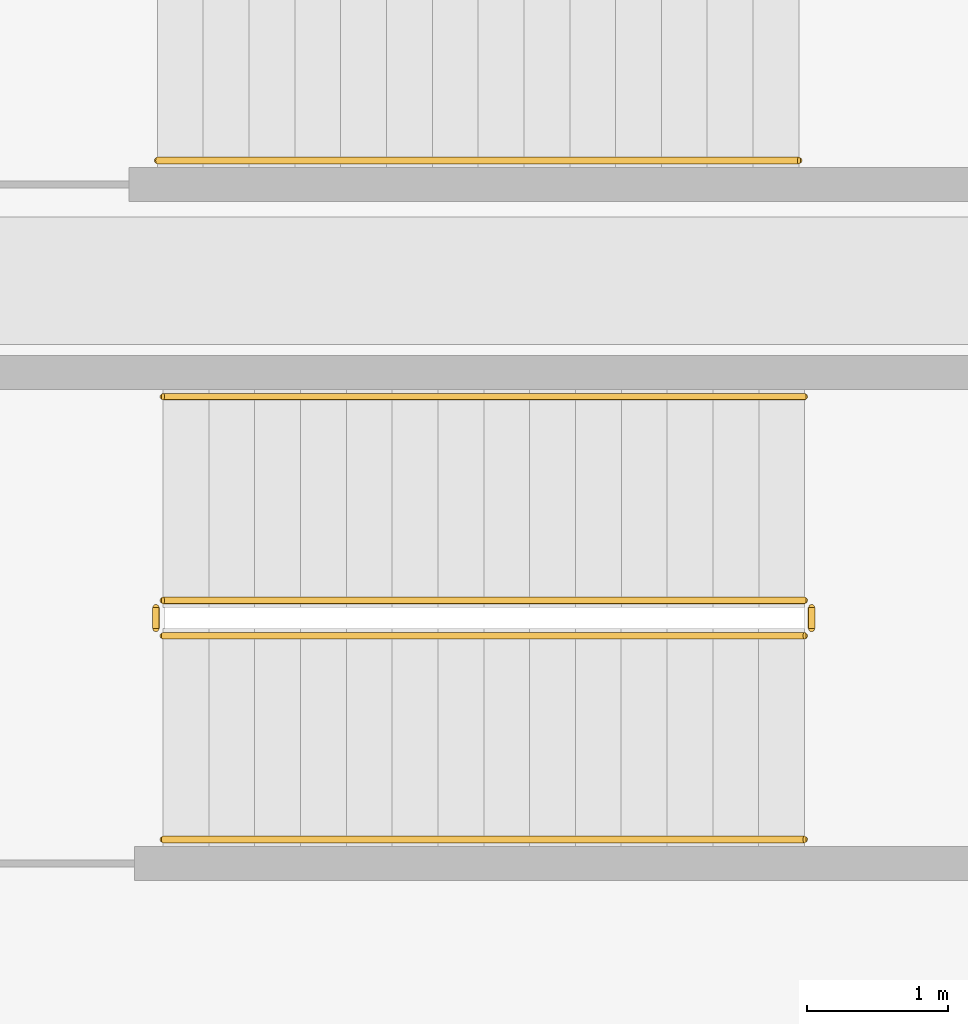
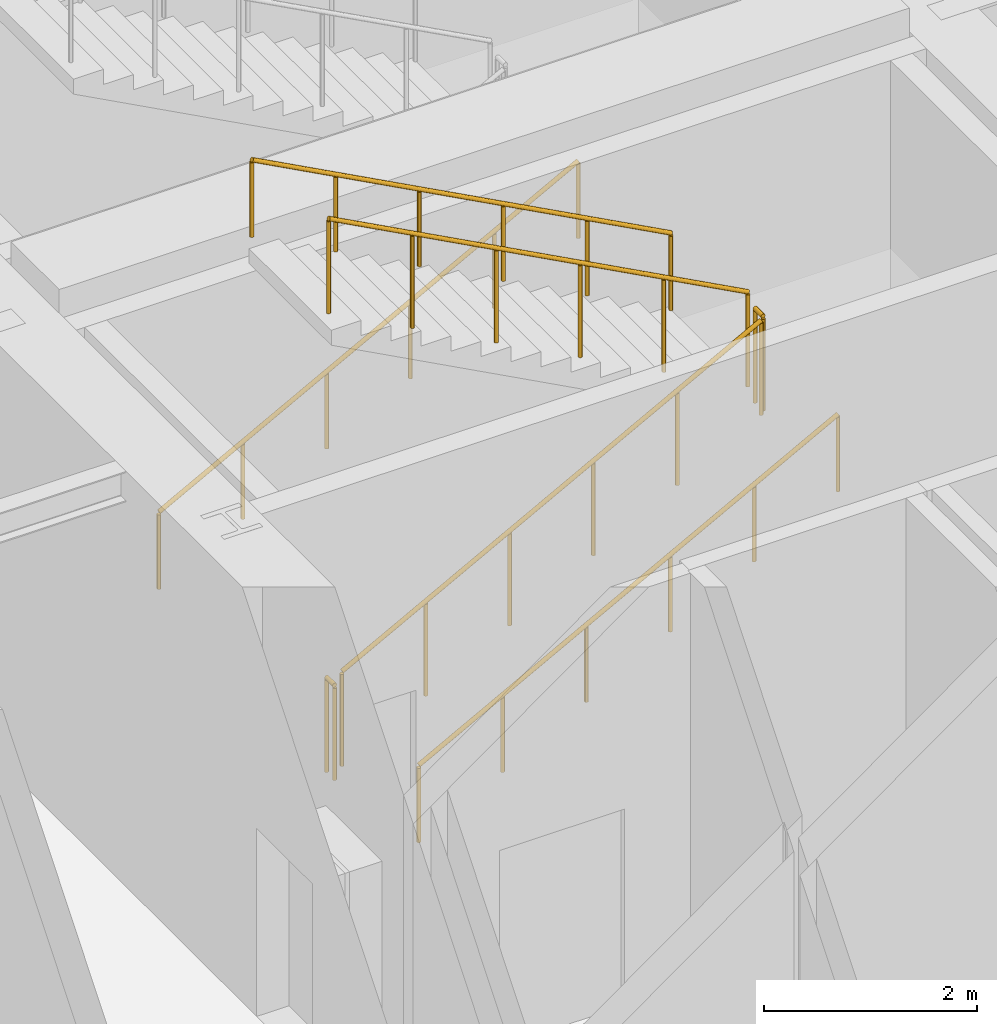
# One storey, part 12 of 15: 7 railings.
"""IFC4 building model written with IfcOpenShell, lengths in metres."""

from ifc_helpers import new_model, si_unit, direction, frame, origin, origin_2d, place, context, subcontext, project, spatial, circle, extrude, material, type_object, element, save


model = new_model("IFC4")

# Units and contexts
model_context = context("Model", 3, precision=1e-05, world=origin(), true_north=direction((0.0, 1.0)))
body_context = subcontext(model_context, "Body", "Model", "MODEL_VIEW")
ifc_project = project(units=[si_unit("LENGTHUNIT", "METRE"), si_unit("AREAUNIT", "SQUARE_METRE"), si_unit("VOLUMEUNIT", "CUBIC_METRE"), si_unit("PLANEANGLEUNIT", "RADIAN"), si_unit("MASSUNIT", "GRAM", prefix="KILO")], contexts=[model_context])

# Site, building, storey
site_placement = place(None, origin())
site = spatial("IfcSite", under=ifc_project, at=site_placement, CompositionType="ELEMENT")
building_placement = place(site_placement, origin())
building = spatial("IfcBuilding", under=site, at=building_placement, Name="Kolvaren Arena Tower", CompositionType="ELEMENT")
storey_placement = place(building_placement, frame((0.0, 0.0, 153.25)))
storey = spatial("IfcBuildingStorey", under=building, at=storey_placement, Name="L36", CompositionType="ELEMENT", Elevation=153.25)

# Railings
ifc_material_1 = material(Name="Painted galvanized steel", Category="steel")
railing_type_1 = type_object("IfcRailingType", Name="GUARD-ST-110", PredefinedType="GUARDRAIL", material=ifc_material_1)
railing_1_placement = place(storey_placement, frame((52.719970703125, 31.639892578125, 0.17333984375)))
element("IfcRailing", 1, at=railing_1_placement, inside=storey, type_object=railing_type_1, Name="L36 ST-E1 stair guard 1", PredefinedType="GUARDRAIL", context=body_context, shape_type="SweptSolid", body=[
    extrude(circle(Radius=0.02392578125, at=origin_2d()), frame((0.0, 0.0, 1.076171875), z_axis=(0.88174791909, 0.0, 0.471720899664), x_axis=(0.0, 1.0, 0.0)), (0.0, 0.0, 1.0), 5.14453125),
    extrude(circle(Radius=0.02099609375, at=origin_2d()), origin(), (0.0, 0.0, 1.0), 1.052001953125),
    extrude(circle(Radius=0.02099609375, at=origin_2d()), frame((0.9072265625, 0.0, 0.4853515625)), (0.0, 0.0, 1.0), 1.052001953125),
    extrude(circle(Radius=0.02099609375, at=origin_2d()), frame((1.814453125, 0.0, 0.970703125)), (0.0, 0.0, 1.0), 1.052001953125),
    extrude(circle(Radius=0.02099609375, at=origin_2d()), frame((2.7216796875, 0.0, 1.4560546875)), (0.0, 0.0, 1.0), 1.052001953125),
    extrude(circle(Radius=0.02099609375, at=origin_2d()), frame((3.62890625, 0.0, 1.94140625)), (0.0, 0.0, 1.0), 1.052001953125),
    extrude(circle(Radius=0.02099609375, at=origin_2d()), frame((4.5361328125, 0.0, 2.4267578125)), (0.0, 0.0, 1.0), 1.052001953125),
])
railing_2_placement = place(storey_placement, frame((57.305908203125, 31.68994140625, 2.60009765625)))
element("IfcRailing", 2, at=railing_2_placement, inside=storey, type_object=railing_type_1, Name="L36 ST-E1 stair guard 2", PredefinedType="GUARDRAIL", context=body_context, shape_type="SweptSolid", body=[
    extrude(circle(Radius=0.02392578125, at=origin_2d()), frame((0.0, 0.0, 1.076171875), z_axis=(0.0, 1.0, 0.0), x_axis=(-1.0, 0.0, 0.0)), (0.0, 0.0, 1.0), 0.150146484375),
    extrude(circle(Radius=0.02099609375, at=origin_2d()), origin(), (0.0, 0.0, 1.0), 1.052001953125),
    extrude(circle(Radius=0.02099609375, at=origin_2d()), frame((0.0, 0.150146484375, 0.0)), (0.0, 0.0, 1.0), 1.052001953125),
])
railing_3_placement = place(storey_placement, frame((57.256103515625, 31.889892578125, 2.7734375)))
element("IfcRailing", 3, at=railing_3_placement, inside=storey, type_object=railing_type_1, Name="L36 ST-E1 stair guard 3", PredefinedType="GUARDRAIL", context=body_context, shape_type="SweptSolid", body=[
    extrude(circle(Radius=0.02392578125, at=origin_2d()), frame((0.0, 0.0, 1.076171875), z_axis=(-0.881767657903, 0.0, 0.471684001717), x_axis=(0.0, -1.0, 0.0)), (0.0, 0.0, 1.0), 5.144287109375),
    extrude(circle(Radius=0.02099609375, at=origin_2d()), origin(), (0.0, 0.0, 1.0), 1.052001953125),
    extrude(circle(Radius=0.02099609375, at=origin_2d()), frame((-0.9072265625, 0.0, 0.4853515625)), (0.0, 0.0, 1.0), 1.052001953125),
    extrude(circle(Radius=0.02099609375, at=origin_2d()), frame((-1.814453125, 0.0, 0.970703125)), (0.0, 0.0, 1.0), 1.052001953125),
    extrude(circle(Radius=0.02099609375, at=origin_2d()), frame((-2.7216796875, 0.0, 1.455810546875)), (0.0, 0.0, 1.0), 1.052001953125),
    extrude(circle(Radius=0.02099609375, at=origin_2d()), frame((-3.62890625, 0.0, 1.941162109375)), (0.0, 0.0, 1.0), 1.052001953125),
    extrude(circle(Radius=0.02099609375, at=origin_2d()), frame((-4.5361328125, 0.0, 2.426513671875)), (0.0, 0.0, 1.0), 1.052001953125),
])
railing_4_placement = place(storey_placement, frame((52.669921875, 31.68994140625, 0.0)))
element("IfcRailing", 4, at=railing_4_placement, inside=storey, type_object=railing_type_1, Name="L36 ST-E1 stair guard 4", PredefinedType="GUARDRAIL", context=body_context, shape_type="SweptSolid", body=[
    extrude(circle(Radius=0.02392578125, at=origin_2d()), frame((0.0, 0.0, 1.076171875), z_axis=(0.0, 1.0, 0.0), x_axis=(-1.0, 0.0, 0.0)), (0.0, 0.0, 1.0), 0.150146484375),
    extrude(circle(Radius=0.02099609375, at=origin_2d()), origin(), (0.0, 0.0, 1.0), 1.052001953125),
    extrude(circle(Radius=0.02099609375, at=origin_2d()), frame((0.0, 0.150146484375, 0.0)), (0.0, 0.0, 1.0), 1.052001953125),
])
ifc_material_2 = material(Name="Brushed stainless steel handrail", Category="steel")
railing_type_2 = type_object("IfcRailingType", Name="HRAIL-900", PredefinedType="HANDRAIL", material=ifc_material_2)
railing_5_placement = place(storey_placement, frame((52.719970703125, 30.199951171875, 0.17333984375)))
element("IfcRailing", 5, at=railing_5_placement, inside=storey, type_object=railing_type_2, Name="L36 ST-E1 stair handrail 1", PredefinedType="HANDRAIL", context=body_context, shape_type="SweptSolid", body=[
    extrude(circle(Radius=0.02392578125, at=origin_2d()), frame((0.0, 0.0, 0.8759765625), z_axis=(0.88174791909, 0.0, 0.471720899664), x_axis=(0.0, 1.0, 0.0)), (0.0, 0.0, 1.0), 5.14453125),
    extrude(circle(Radius=0.02099609375, at=origin_2d()), origin(), (0.0, 0.0, 1.0), 0.851806640625),
    extrude(circle(Radius=0.02099609375, at=origin_2d()), frame((0.9072265625, 0.0, 0.4853515625)), (0.0, 0.0, 1.0), 0.851806640625),
    extrude(circle(Radius=0.02099609375, at=origin_2d()), frame((1.814453125, 0.0, 0.970703125)), (0.0, 0.0, 1.0), 0.851806640625),
    extrude(circle(Radius=0.02099609375, at=origin_2d()), frame((2.7216796875, 0.0, 1.4560546875)), (0.0, 0.0, 1.0), 0.851806640625),
    extrude(circle(Radius=0.02099609375, at=origin_2d()), frame((3.62890625, 0.0, 1.94140625)), (0.0, 0.0, 1.0), 0.851806640625),
    extrude(circle(Radius=0.02099609375, at=origin_2d()), frame((4.5361328125, 0.0, 2.4267578125)), (0.0, 0.0, 1.0), 0.851806640625),
])
railing_6_placement = place(storey_placement, frame((57.256103515625, 33.330078125, 2.7734375)))
element("IfcRailing", 6, at=railing_6_placement, inside=storey, type_object=railing_type_2, Name="L36 ST-E1 stair handrail 2", PredefinedType="HANDRAIL", context=body_context, shape_type="SweptSolid", body=[
    extrude(circle(Radius=0.02392578125, at=origin_2d()), frame((0.0, 0.0, 0.8759765625), z_axis=(-0.881767657903, 0.0, 0.471684001717), x_axis=(0.0, -1.0, 0.0)), (0.0, 0.0, 1.0), 5.144287109375),
    extrude(circle(Radius=0.02099609375, at=origin_2d()), origin(), (0.0, 0.0, 1.0), 0.851806640625),
    extrude(circle(Radius=0.02099609375, at=origin_2d()), frame((-0.9072265625, 0.0, 0.4853515625)), (0.0, 0.0, 1.0), 0.851806640625),
    extrude(circle(Radius=0.02099609375, at=origin_2d()), frame((-1.814453125, 0.0, 0.970703125)), (0.0, 0.0, 1.0), 0.851806640625),
    extrude(circle(Radius=0.02099609375, at=origin_2d()), frame((-2.7216796875, 0.0, 1.455810546875)), (0.0, 0.0, 1.0), 0.851806640625),
    extrude(circle(Radius=0.02099609375, at=origin_2d()), frame((-3.62890625, 0.0, 1.941162109375)), (0.0, 0.0, 1.0), 0.851806640625),
    extrude(circle(Radius=0.02099609375, at=origin_2d()), frame((-4.5361328125, 0.0, 2.426513671875)), (0.0, 0.0, 1.0), 0.851806640625),
])
railing_7_placement = place(storey_placement, frame((52.679931640625, 35.0, 0.17333984375)))
element("IfcRailing", 7, at=railing_7_placement, inside=storey, type_object=railing_type_2, Name="L36 ST-E2 stair handrail 1", PredefinedType="HANDRAIL", context=body_context, shape_type="SweptSolid", body=[
    extrude(circle(Radius=0.02392578125, at=origin_2d()), frame((0.0, 0.0, 0.8759765625), z_axis=(0.88174791909, 0.0, 0.471720899664), x_axis=(0.0, 1.0, 0.0)), (0.0, 0.0, 1.0), 5.14453125),
    extrude(circle(Radius=0.02099609375, at=origin_2d()), origin(), (0.0, 0.0, 1.0), 0.851806640625),
    extrude(circle(Radius=0.02099609375, at=origin_2d()), frame((0.9072265625, 0.0, 0.4853515625)), (0.0, 0.0, 1.0), 0.851806640625),
    extrude(circle(Radius=0.02099609375, at=origin_2d()), frame((1.814453125, 0.0, 0.970703125)), (0.0, 0.0, 1.0), 0.851806640625),
    extrude(circle(Radius=0.02099609375, at=origin_2d()), frame((2.7216796875, 0.0, 1.4560546875)), (0.0, 0.0, 1.0), 0.851806640625),
    extrude(circle(Radius=0.02099609375, at=origin_2d()), frame((3.62890625, 0.0, 1.94140625)), (0.0, 0.0, 1.0), 0.851806640625),
    extrude(circle(Radius=0.02099609375, at=origin_2d()), frame((4.5361328125, 0.0, 2.4267578125)), (0.0, 0.0, 1.0), 0.851806640625),
])

save(model, "model.ifc")
